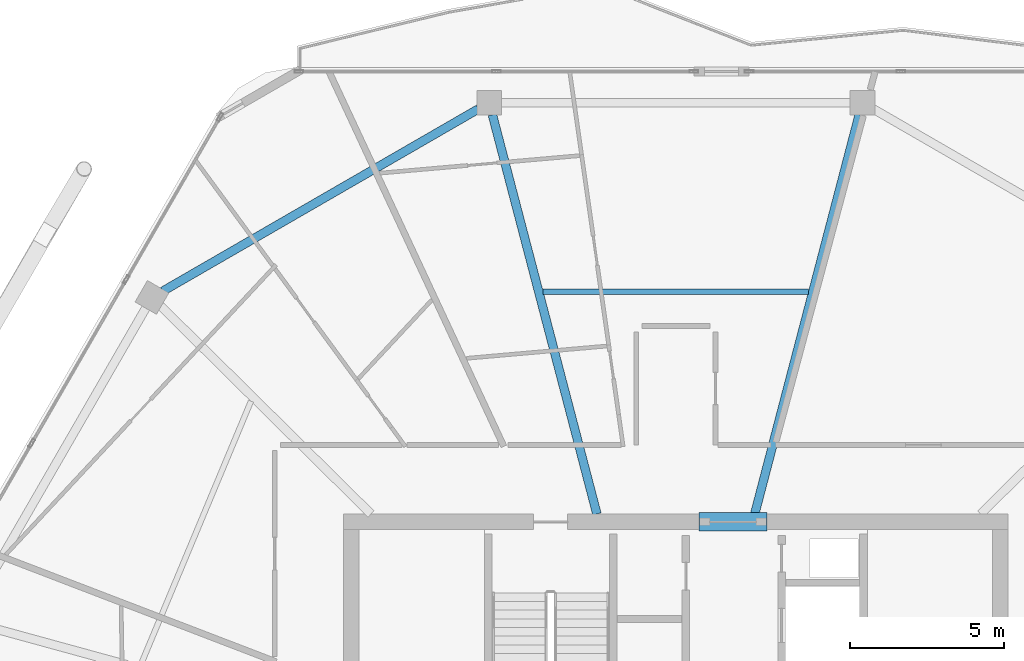
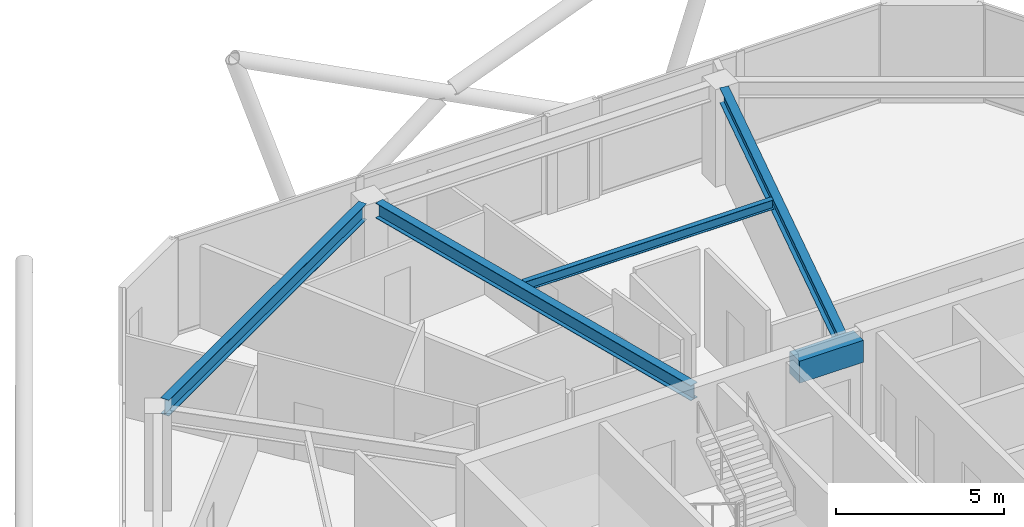
# One storey, part 11 of 23: 5 beams.
"""IFC4 building model written with IfcOpenShell, lengths in metres."""

import ifcopenshell
import ifcopenshell.guid

model = None  # the IFC model being written
_history = None  # IfcOwnerHistory: only IFC2X3 demands one
_inside = {}  # id of a spatial element -> (the spatial element, [elements in it])
_under = {}  # id of a project, library or spatial element -> (it, [spatial elements below it])
_declared = {}  # id of a project -> (the project, [libraries it declares])
_typed = {}  # id of a type object -> (the type object, [elements of that type])
_made_of = {}  # id of a material, layer set ... -> (it, [elements and type objects made of it])


def new_model(schema):
    """Start an empty IFC model of exactly this schema.

    Asked for "IFC4X3", IfcOpenShell would pick the latest addendum, in which some entities
    have other attributes; the version numbers below select the first issue.
    IFC2X3 requires an IfcOwnerHistory on every rooted entity: one is made here for all.
    """
    global model, _history
    if schema == "IFC4X3":
        model = ifcopenshell.file(schema_version=(4, 3, 0, 0))
    else:
        model = ifcopenshell.file(schema=schema)
    _inside.clear()
    _under.clear()
    _declared.clear()
    _typed.clear()
    _made_of.clear()
    _history = None
    if model.schema == "IFC2X3":
        org = make("IfcOrganization", Name="unknown")
        user = make(
            "IfcPersonAndOrganization",
            ThePerson=make("IfcPerson", FamilyName="unknown"),
            TheOrganization=org,
        )
        app = make(
            "IfcApplication",
            ApplicationDeveloper=org,
            Version="unknown",
            ApplicationFullName="unknown",
            ApplicationIdentifier="unknown",
        )
        _history = make(
            "IfcOwnerHistory",
            OwningUser=user,
            OwningApplication=app,
            ChangeAction="ADDED",
            CreationDate=0,
        )
    return model


def make(cls, **values):
    """One entity of the class cls with the attributes given. An attribute that is None is left unset."""
    return model.create_entity(
        cls, **{name: value for name, value in values.items() if value is not None}
    )


def rooted(cls, **values):
    """An entity with a GlobalId (a new one), such as an element, a storey or a relation."""
    return make(cls, GlobalId=ifcopenshell.guid.new(), OwnerHistory=_history, **values)


def si_unit(unit_type, name, prefix=None):
    """IfcSIUnit, for example si_unit("LENGTHUNIT", "METRE", prefix="MILLI")."""
    return make("IfcSIUnit", UnitType=unit_type, Prefix=prefix, Name=name)


def assignment(units):
    """IfcUnitAssignment: the units of a project."""
    return None if units is None else make("IfcUnitAssignment", Units=units)


def point(xyz):
    """IfcCartesianPoint."""
    return None if xyz is None else make("IfcCartesianPoint", Coordinates=xyz)


def direction(xyz):
    """IfcDirection."""
    return None if xyz is None else make("IfcDirection", DirectionRatios=xyz)


def frame(location, z_axis=None, x_axis=None):
    """IfcAxis2Placement3D, a coordinate frame: its origin and axes. An axis left out is left unset."""
    return make(
        "IfcAxis2Placement3D",
        Location=point(location),
        Axis=direction(z_axis),
        RefDirection=direction(x_axis),
    )


def frame_2d(location, x_axis=None):
    """IfcAxis2Placement2D, a coordinate frame in the plane: its origin and x axis."""
    return make(
        "IfcAxis2Placement2D", Location=point(location), RefDirection=direction(x_axis)
    )


def origin():
    """The frame at (0, 0, 0) with its axes left unset."""
    return frame((0.0, 0.0, 0.0))


def origin_2d():
    """The frame at (0, 0) in the plane with its x axis left unset."""
    return frame_2d((0.0, 0.0))


def place(relative_to, where):
    """IfcLocalPlacement: puts the frame where relative to a parent placement (None: the world)."""
    return make(
        "IfcLocalPlacement", PlacementRelTo=relative_to, RelativePlacement=where
    )


def context(
    kind, dimensions, precision=None, world=None, true_north=None, identifier=None
):
    """IfcGeometricRepresentationContext, for example the 3D "Model" context."""
    return make(
        "IfcGeometricRepresentationContext",
        ContextIdentifier=identifier,
        ContextType=kind,
        CoordinateSpaceDimension=dimensions,
        Precision=precision,
        WorldCoordinateSystem=world,
        TrueNorth=true_north,
    )


def subcontext(parent, identifier, kind, view, scale=None):
    """IfcGeometricRepresentationSubContext, for example "Body" below "Model"."""
    return make(
        "IfcGeometricRepresentationSubContext",
        ContextIdentifier=identifier,
        ContextType=kind,
        ParentContext=parent,
        TargetScale=scale,
        TargetView=view,
    )


def project(units=None, contexts=None):
    """IfcProject with its units and contexts."""
    return rooted(
        "IfcProject",
        Name="project",
        RepresentationContexts=contexts,
        UnitsInContext=assignment(units),
    )


def spatial(cls, under=None, at=None, **own):
    """A site, building, storey or space (cls), placed at a placement, below another one or the project."""
    s = rooted(cls, ObjectPlacement=at, **own)
    if under is not None:
        _under.setdefault(under.id(), (under, []))[1].append(s)
    return s


def profile(cls, at=None, kind="AREA", **sizes):
    """A parametric profile (cls). Its sizes go by their IFC names, for example OverallWidth=200.0."""
    return make(cls, ProfileType=kind, Position=at, **sizes)


def rectangle(**sizes):
    """IfcRectangleProfileDef."""
    return profile("IfcRectangleProfileDef", **sizes)


def i_section(**sizes):
    """IfcIShapeProfileDef."""
    return profile("IfcIShapeProfileDef", **sizes)


def extrude(swept, where, along, depth):
    """IfcExtrudedAreaSolid: the profile swept, set in the frame where, extruded along a direction by depth."""
    return make(
        "IfcExtrudedAreaSolid",
        SweptArea=swept,
        Position=where,
        ExtrudedDirection=direction(along),
        Depth=depth,
    )


def shape(context_of_items, identifier, shape_type, items):
    """IfcShapeRepresentation: the items that make up one representation, for example the "Body"."""
    return make(
        "IfcShapeRepresentation",
        ContextOfItems=context_of_items,
        RepresentationIdentifier=identifier,
        RepresentationType=shape_type,
        Items=items,
    )


def material(Name=None, Category=None):
    """IfcMaterial."""
    return make("IfcMaterial", Name=Name, Category=Category)


def material_profile(
    of_material, cross_section, Name=None, Category=None, Priority=None
):
    """IfcMaterialProfile: a cross section and its material."""
    return make(
        "IfcMaterialProfile",
        Name=Name,
        Material=of_material,
        Profile=cross_section,
        Priority=Priority,
        Category=Category,
    )


def profile_set(profiles, Name=None, composite=None):
    """IfcMaterialProfileSet."""
    return make(
        "IfcMaterialProfileSet",
        Name=Name,
        MaterialProfiles=profiles,
        CompositeProfile=composite,
    )


def made_of(thing, what):
    """Note that an element or type object is made of a material, layer set ...; save() writes the relation."""
    if what is not None:
        _made_of.setdefault(what.id(), (what, []))[1].append(thing)
    return thing


def type_object(cls, material=None, **own):
    """A type object (cls), such as IfcWallType, which elements share."""
    return made_of(rooted(cls, **own), material)


def element(
    cls,
    number,
    at=None,
    inside=None,
    cuts=None,
    type_object=None,
    material=None,
    context=None,
    identifier="Body",
    shape_type=None,
    held_by="IfcProductDefinitionShape",
    body=None,
    shapes=None,
    **own,
):
    """One element of the class cls, such as IfcWall. Its Tag is "e" and its number.

    at: its placement. inside: the storey or other place that contains it. cuts: it is an
    opening in that element (IfcRelVoidsElement). A single representation is given by context,
    identifier, shape_type and body (its items); several are given by shapes. held_by: the class
    of the entity that holds the representations. save() writes the other relations.
    """
    e = rooted(cls, Tag="e%d" % number, ObjectPlacement=at, **own)
    if body is not None:
        shapes = [shape(context, identifier, shape_type, body)]
    if shapes is not None:
        e.Representation = make(held_by, Representations=shapes)
    if inside is not None:
        _inside.setdefault(inside.id(), (inside, []))[1].append(e)
    if cuts is not None:
        rooted(
            "IfcRelVoidsElement", RelatingBuildingElement=cuts, RelatedOpeningElement=e
        )
    if type_object is not None:
        _typed.setdefault(type_object.id(), (type_object, []))[1].append(e)
    return made_of(e, material)


def aggregate(whole, parts):
    """IfcRelAggregates: a whole, such as a stair, and the parts it consists of."""
    return rooted("IfcRelAggregates", RelatingObject=whole, RelatedObjects=parts)


def save(model, path):
    """Write the relations noted so far, then the file.

    IfcRelAggregates (storeys below a building ...), IfcRelContainedInSpatialStructure (elements
    in a storey), IfcRelDefinesByType, IfcRelAssociatesMaterial and IfcRelDeclares: one each for
    every whole, place, type object, material and project.
    """
    for whole, parts in _under.values():
        aggregate(whole, parts)
    for where, things in _inside.values():
        rooted(
            "IfcRelContainedInSpatialStructure",
            RelatedElements=things,
            RelatingStructure=where,
        )
    for kind, things in _typed.values():
        rooted("IfcRelDefinesByType", RelatedObjects=things, RelatingType=kind)
    for what, things in _made_of.values():
        rooted("IfcRelAssociatesMaterial", RelatedObjects=things, RelatingMaterial=what)
    for by, libraries in _declared.values():
        rooted("IfcRelDeclares", RelatingContext=by, RelatedDefinitions=libraries)
    model.write(path)


model = new_model("IFC4")

# Units and contexts
model_context = context("Model", 3, precision=1e-05, world=origin(), true_north=direction((0.0, 1.0)))
body_context = subcontext(model_context, "Body", "Model", "MODEL_VIEW")
ifc_project = project(units=[si_unit("LENGTHUNIT", "METRE"), si_unit("AREAUNIT", "SQUARE_METRE"), si_unit("VOLUMEUNIT", "CUBIC_METRE"), si_unit("PLANEANGLEUNIT", "RADIAN"), si_unit("MASSUNIT", "GRAM", prefix="KILO")], contexts=[model_context])

# Site, building, storey
site_placement = place(None, origin())
site = spatial("IfcSite", under=ifc_project, at=site_placement, CompositionType="ELEMENT")
building_placement = place(site_placement, origin())
building = spatial("IfcBuilding", under=site, at=building_placement, Name="Zuhravey Tower", CompositionType="ELEMENT")
storey_placement = place(building_placement, frame((0.0, 0.0, 323.39990234375)))
storey = spatial("IfcBuildingStorey", under=building, at=storey_placement, Name="L82", CompositionType="ELEMENT", Elevation=323.39990234375)

# Beams
ifc_material_1 = material(Name="Concrete C50/60", Category="concrete")
ifc_material_profile_1 = material_profile(ifc_material_1, rectangle(XDim=0.60009765625, YDim=0.800048828125, at=origin_2d()), Name="RC-600x800")
ifc_profile_set_1 = profile_set([ifc_material_profile_1], Name="Concrete C50/60")
beam_type_1 = type_object("IfcBeamType", Name="Core Coupling Beam RC600x800", PredefinedType="LINTEL", material=ifc_profile_set_1)
beam_1_placement = place(storey_placement, frame((36.751953125, 41.5, 3.150146484375), z_axis=(1.0, 0.0, 0.0), x_axis=(0.0, 1.0, 0.0)))
element("IfcBeam", 1, at=beam_1_placement, inside=storey, type_object=beam_type_1, Name="L82 CB2 BM-L82-CB-N", PredefinedType="LINTEL", context=body_context, shape_type="SweptSolid", body=[
    extrude(rectangle(XDim=0.60009765625, YDim=0.800048828125, at=origin_2d()), origin(), (0.0, 0.0, 1.0), 2.196044921875),
])
ifc_material_2 = material(Name="Steel SM355", Category="steel")
ifc_material_profile_2 = material_profile(ifc_material_2, i_section(OverallWidth=0.280029296875, OverallDepth=0.580078125, WebThickness=0.011962890625, FlangeThickness=0.01904296875, at=origin_2d()), Name="H-580x280x12x19")
ifc_profile_set_2 = profile_set([ifc_material_profile_2], Name="Steel SM355")
beam_type_2 = type_object("IfcBeamType", Name="Perimeter Ring Beam H580x280", PredefinedType="BEAM", material=ifc_profile_set_2)
beam_2_placement = place(storey_placement, frame((29.6123046875, 54.862548828125, 3.260009765625), z_axis=(-0.866023977509, -0.500002470373, 0.0), x_axis=(0.500002470373, -0.866023977509, 0.0)))
element("IfcBeam", 2, at=beam_2_placement, inside=storey, type_object=beam_type_2, Name="L82 PB4 BM-L82-PB-04", PredefinedType="BEAM", context=body_context, shape_type="SweptSolid", body=[
    extrude(i_section(OverallWidth=0.280029296875, OverallDepth=0.580078125, WebThickness=0.011962890625, FlangeThickness=0.01904296875, at=origin_2d()), origin(), (0.0, 0.0, 1.0), 11.798828125),
])
ifc_material_profile_3 = material_profile(ifc_material_2, i_section(OverallWidth=0.280029296875, OverallDepth=0.550048828125, WebThickness=0.010986328125, FlangeThickness=0.01806640625, at=origin_2d()), Name="H-550x280x11x18")
ifc_profile_set_3 = profile_set([ifc_material_profile_3], Name="Steel SM355")
beam_type_3 = type_object("IfcBeamType", Name="Radial Primary Girder H550x280", PredefinedType="BEAM", material=ifc_profile_set_3)
for number, where, z_axis, x_axis, name in (
    (3, (38.553466796875, 41.7529296875, 3.275146484375), (0.253281197106, 0.967392699576, 0.0), (-0.967392699576, 0.253281197106, 0.0), "L82 RG4 BM-L82-RAD-03"),
    (4, (33.446533203125, 41.7529296875, 3.275146484375), (-0.253281197106, 0.967392699576, 0.0), (-0.967392699576, -0.253281197106, 0.0), "L82 RG4 BM-L82-RAD-04"),
):
    element("IfcBeam", number, at=place(storey_placement, frame(where, z_axis=z_axis, x_axis=x_axis)), inside=storey, type_object=beam_type_3, Name=name, PredefinedType="BEAM", context=body_context, shape_type="SweptSolid", body=[
        extrude(i_section(OverallWidth=0.280029296875, OverallDepth=0.550048828125, WebThickness=0.010986328125, FlangeThickness=0.01806640625, at=origin_2d()), origin(), (0.0, 0.0, 1.0), 13.35693359375),
    ])
ifc_material_profile_4 = material_profile(ifc_material_2, i_section(OverallWidth=0.175048828125, OverallDepth=0.35009765625, WebThickness=0.007080078125, FlangeThickness=0.010986328125, at=origin_2d()), Name="H-350x175x7x11")
ifc_profile_set_4 = profile_set([ifc_material_profile_4], Name="Steel SM355")
beam_type_4 = type_object("IfcBeamType", Name="Secondary Floor Joist H350x175", PredefinedType="JOIST", material=ifc_profile_set_4)
beam_3_placement = place(storey_placement, frame((40.29150390625, 48.94091796875, 3.375), z_axis=(-1.0, 0.0, 0.0), x_axis=(0.0, -1.0, 0.0)))
element("IfcBeam", 5, at=beam_3_placement, inside=storey, type_object=beam_type_4, Name="L82 SJ3 BM-L82-SJ-03-1", PredefinedType="JOIST", context=body_context, shape_type="SweptSolid", body=[
    extrude(i_section(OverallWidth=0.175048828125, OverallDepth=0.35009765625, WebThickness=0.007080078125, FlangeThickness=0.010986328125, at=origin_2d()), origin(), (0.0, 0.0, 1.0), 8.5830078125),
])

save(model, "model.ifc")
